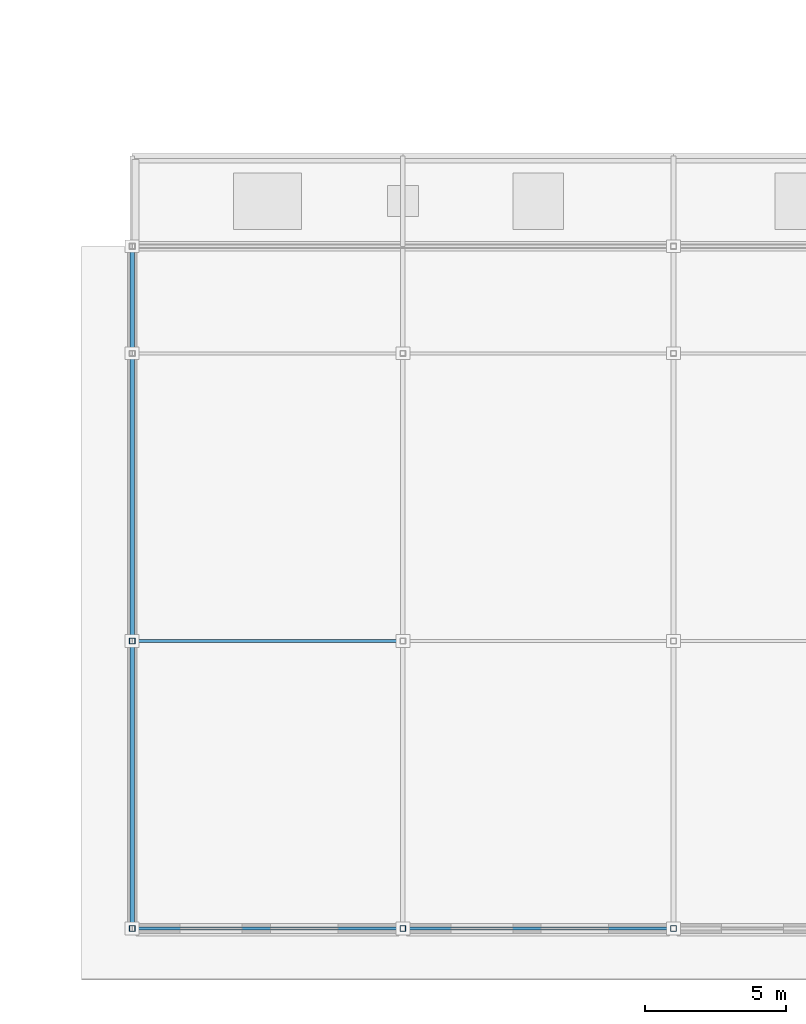
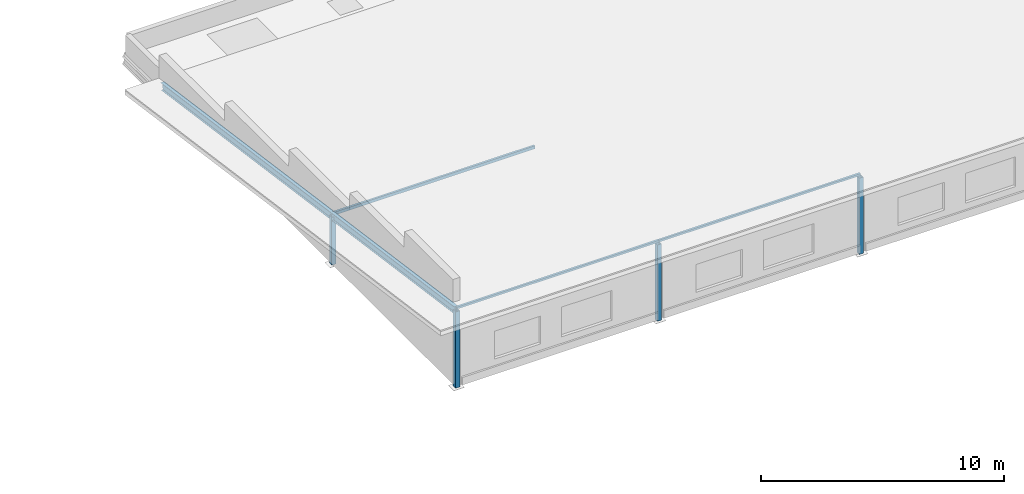
# One storey, part 28 of 70: 8 members.
"""IFC4 building model written with IfcOpenShell, lengths in metres."""

from ifc_helpers import new_model, si_unit, direction, frame, origin, origin_2d, place, context, subcontext, project, spatial, hollow_rectangle, i_section, extrude, material, material_profile, profile_set, type_object, element, save


model = new_model("IFC4")

# Units and contexts
model_context = context("Model", 3, precision=1e-05, world=origin(), true_north=direction((0.0, 1.0)))
body_context = subcontext(model_context, "Body", "Model", "MODEL_VIEW")
ifc_project = project(units=[si_unit("LENGTHUNIT", "METRE"), si_unit("AREAUNIT", "SQUARE_METRE"), si_unit("VOLUMEUNIT", "CUBIC_METRE"), si_unit("PLANEANGLEUNIT", "RADIAN"), si_unit("MASSUNIT", "GRAM", prefix="KILO")], contexts=[model_context])

# Site, building, storey
site_placement = place(None, origin())
site = spatial("IfcSite", under=ifc_project, at=site_placement, CompositionType="ELEMENT")
building_placement = place(site_placement, origin())
building = spatial("IfcBuilding", under=site, at=building_placement, Name="Vondelvale Polytechnic", CompositionType="ELEMENT")
storey_placement = place(building_placement, frame((0.0, 0.0, 22.199951171875)))
storey = spatial("IfcBuildingStorey", under=building, at=storey_placement, Name="L05", CompositionType="ELEMENT", Elevation=22.199951171875)

# Members
ifc_material_1 = material(Name="Steel C350L0 (fy = 350 MPa)", Category="steel")
ifc_material_profile_1 = material_profile(ifc_material_1, hollow_rectangle(XDim=0.10009765625, YDim=0.14990234375, WallThickness=0.0048828125, at=origin_2d()), Name="150x100x5.0RHS")
ifc_profile_set_1 = profile_set([ifc_material_profile_1], Name="Steel C350L0 (fy = 350 MPa)")
member_type_1 = type_object("IfcMemberType", Name="PURLIN RHS150", PredefinedType="PURLIN", material=ifc_profile_set_1)
member_1_placement = place(storey_placement, frame((134.39990234375, 10.199951171875, 2.33056640625), z_axis=(1.0, 0.0, 0.0), x_axis=(0.0, 1.0, 0.0)))
element("IfcMember", 1, at=member_1_placement, inside=storey, type_object=member_type_1, Name="Lecture wing roof purlin", PredefinedType="PURLIN", context=body_context, shape_type="SweptSolid", body=[
    extrude(hollow_rectangle(XDim=0.10009765625, YDim=0.14990234375, WallThickness=0.0048828125, at=origin_2d()), origin(), (0.0, 0.0, 1.0), 9.60009765625),
])
ifc_material_profile_2 = material_profile(ifc_material_1, hollow_rectangle(XDim=0.10009765625, YDim=0.10009765625, WallThickness=0.0048828125, at=origin_2d()), Name="100x100x5.0SHS")
ifc_profile_set_2 = profile_set([ifc_material_profile_2], Name="Steel C350L0 (fy = 350 MPa)")
member_type_2 = type_object("IfcMemberType", Name="PURLIN SHS100", PredefinedType="PURLIN", material=ifc_profile_set_2)
for number, where, z_axis, x_axis, name in (
    (2, (134.39990234375, 0.0, 3.787353515625), (1.0, 0.0, 0.0), (0.0, 1.0, 0.0), "Lecture wing roof purlin"),
    (3, (144.0, 0.0, 3.787353515625), (1.0, 0.0, 0.0), (0.0, 1.0, 0.0), "Lecture wing roof purlin"),
):
    element("IfcMember", number, at=place(storey_placement, frame(where, z_axis=z_axis, x_axis=x_axis)), inside=storey, type_object=member_type_2, Name=name, PredefinedType="PURLIN", context=body_context, shape_type="SweptSolid", body=[
        extrude(hollow_rectangle(XDim=0.10009765625, YDim=0.10009765625, WallThickness=0.0048828125, at=origin_2d()), origin(), (0.0, 0.0, 1.0), 9.60009765625),
    ])
ifc_material_2 = material(Name="Steel 300PLUS (fy = 300 MPa)", Category="steel")
ifc_material_profile_3 = material_profile(ifc_material_2, i_section(OverallWidth=0.172119140625, OverallDepth=0.35888671875, WebThickness=0.008056640625, FlangeThickness=0.012939453125, FilletRadius=0.011474609375, at=origin_2d()), Name="360UB56.7")
ifc_profile_set_3 = profile_set([ifc_material_profile_3], Name="Steel 300PLUS (fy = 300 MPa)")
member_type_3 = type_object("IfcMemberType", Name="RAFTER UB360", PredefinedType="RAFTER", material=ifc_profile_set_3)
member_2_placement = place(storey_placement, frame((134.39990234375, 0.0, 3.6591796875), z_axis=(0.0, 0.990289851444, -0.139018020871), x_axis=(-1.0, 0.0, 0.0)))
element("IfcMember", 4, at=member_2_placement, inside=storey, type_object=member_type_3, Name="Lecture wing raking roof rafter", PredefinedType="RAFTER", context=body_context, shape_type="SweptSolid", body=[
    extrude(i_section(OverallWidth=0.172119140625, OverallDepth=0.35888671875, WebThickness=0.008056640625, FlangeThickness=0.012939453125, FilletRadius=0.011474609375, at=origin_2d()), origin(), (0.0, 0.0, 1.0), 24.437255859375),
])
ifc_material_profile_4 = material_profile(ifc_material_1, hollow_rectangle(XDim=0.199951171875, YDim=0.199951171875, WallThickness=0.009033203125, at=origin_2d()), Name="200x200x9.0SHS")
ifc_profile_set_4 = profile_set([ifc_material_profile_4], Name="Steel C350L0 (fy = 350 MPa)")
member_type_4 = type_object("IfcMemberType", Name="ROOF TRUSS POST 200SHS", PredefinedType="POST", material=ifc_profile_set_4)
member_3_placement = place(storey_placement, frame((134.39990234375, 0.0, -0.179931640625), z_axis=(0.0, 0.0, 1.0), x_axis=(1.0, 0.0, 0.0)))
element("IfcMember", 5, at=member_3_placement, inside=storey, type_object=member_type_4, Name="Lecture wing roof post", PredefinedType="POST", context=body_context, shape_type="SweptSolid", body=[
    extrude(hollow_rectangle(XDim=0.199951171875, YDim=0.199951171875, WallThickness=0.009033203125, at=origin_2d()), origin(), (0.0, 0.0, 1.0), 3.839111328125),
])
member_4_placement = place(storey_placement, frame((134.39990234375, 10.199951171875, -0.179931640625), z_axis=(0.0, 0.0, 1.0), x_axis=(1.0, 0.0, 0.0)))
element("IfcMember", 6, at=member_4_placement, inside=storey, type_object=member_type_4, Name="Lecture wing roof post", PredefinedType="POST", context=body_context, shape_type="SweptSolid", body=[
    extrude(hollow_rectangle(XDim=0.199951171875, YDim=0.199951171875, WallThickness=0.009033203125, at=origin_2d()), origin(), (0.0, 0.0, 1.0), 2.4072265625),
])
for number, where, z_axis, x_axis, name in (
    (7, (144.0, 0.0, -0.179931640625), (0.0, 0.0, 1.0), (1.0, 0.0, 0.0), "Lecture wing roof post"),
    (8, (153.60009765625, 0.0, -0.179931640625), (0.0, 0.0, 1.0), (1.0, 0.0, 0.0), "Lecture wing roof post"),
):
    element("IfcMember", number, at=place(storey_placement, frame(where, z_axis=z_axis, x_axis=x_axis)), inside=storey, type_object=member_type_4, Name=name, PredefinedType="POST", context=body_context, shape_type="SweptSolid", body=[
        extrude(hollow_rectangle(XDim=0.199951171875, YDim=0.199951171875, WallThickness=0.009033203125, at=origin_2d()), origin(), (0.0, 0.0, 1.0), 3.839111328125),
    ])

save(model, "model.ifc")
